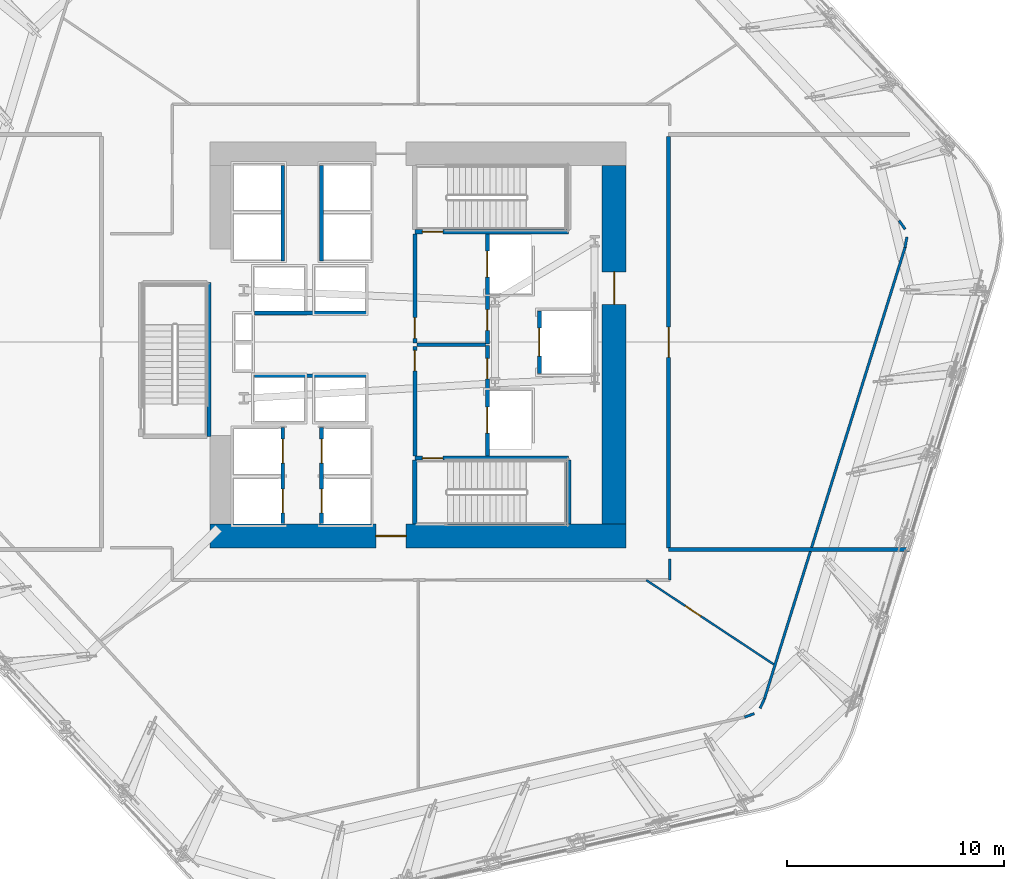
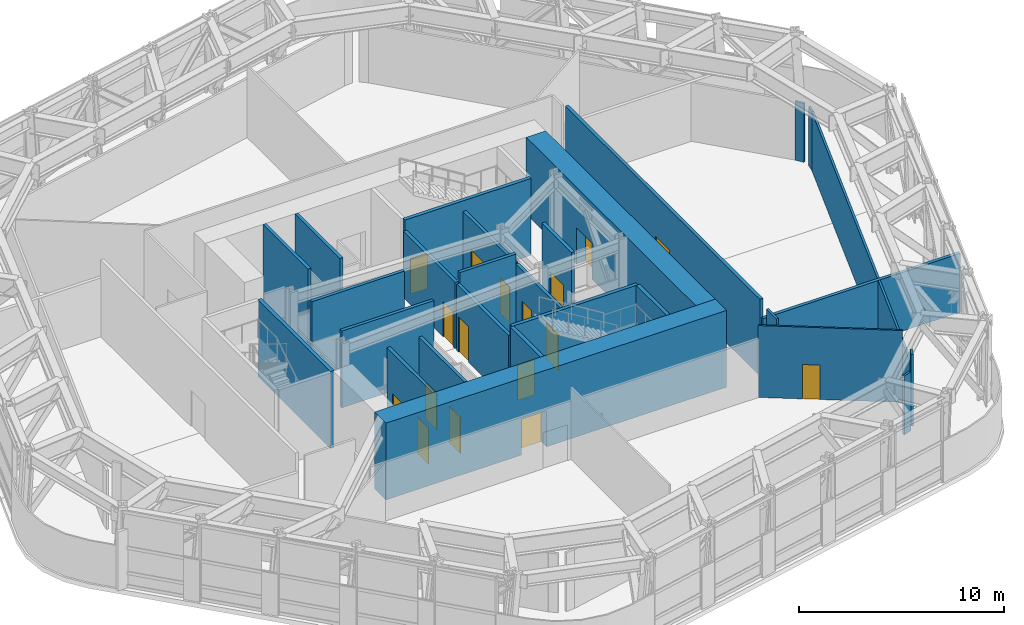
# One storey, part 9 of 16: 28 walls, 17 doors, 17 openings.
"""IFC4 building model written with IfcOpenShell, lengths in metres."""

from ifc_helpers import new_model, si_unit, direction, frame, frame_2d, origin, place, context, subcontext, project, spatial, rectangle, extrude, material, layer, layer_set, type_object, element, fill, save


model = new_model("IFC4")

# Units and contexts
model_context = context("Model", 3, precision=1e-05, world=origin(), true_north=direction((0.0, 1.0)))
body_context = subcontext(model_context, "Body", "Model", "MODEL_VIEW")
ifc_project = project(units=[si_unit("LENGTHUNIT", "METRE"), si_unit("AREAUNIT", "SQUARE_METRE"), si_unit("VOLUMEUNIT", "CUBIC_METRE"), si_unit("PLANEANGLEUNIT", "RADIAN"), si_unit("MASSUNIT", "GRAM", prefix="KILO")], contexts=[model_context])

# Site, building, storey
site_placement = place(None, origin())
site = spatial("IfcSite", under=ifc_project, at=site_placement, CompositionType="ELEMENT")
building_placement = place(site_placement, origin())
building = spatial("IfcBuilding", under=site, at=building_placement, Name="Valkerne Bourse Tower", CompositionType="ELEMENT")
storey_placement = place(building_placement, frame((0.0, 0.0, 77.199951171875)))
storey = spatial("IfcBuildingStorey", under=building, at=storey_placement, Name="L19", CompositionType="ELEMENT", Elevation=77.199951171875)

# Wall, opening, door
ifc_material_1 = material(Name="Concrete C70/85", Category="concrete")
ifc_layer_1 = layer(ifc_material_1, 1.10009765625)
ifc_layer_set_1 = layer_set([ifc_layer_1], Name="Concrete C70/85")
wall_type_1 = type_object("IfcWallType", Name="W-CORE-1100", PredefinedType="SHEAR", material=ifc_layer_set_1)
wall_1_placement = place(storey_placement, frame((37.199951171875, 18.050048828125, 0.0), z_axis=(0.0, 0.0, 1.0), x_axis=(1.0, 0.0, 0.0)))
wall_1 = element("IfcWall", 1, at=wall_1_placement, inside=storey, type_object=wall_type_1, Name="L19 Core Shear Wall SOUTH", PredefinedType="SHEAR", context=body_context, shape_type="SweptSolid", body=[
    extrude(rectangle(XDim=19.199951171875, YDim=1.10009765625, at=frame_2d((9.60009765625, 0.0))), origin(), (0.0, 0.0, 1.0), 4.580078125),
])
opening_1_placement = place(wall_1_placement, frame((7.64990234375, 0.0, 0.0)))
opening_1 = element("IfcOpeningElement", 2, at=opening_1_placement, cuts=wall_1, Name="Opening D-PL-1400", PredefinedType="OPENING", context=body_context, shape_type="SweptSolid", body=[
    extrude(rectangle(XDim=1.39990234375, YDim=2.14990234375, at=frame_2d((0.699951171875, 1.074951171875))), frame((0.0, 0.56005859375, 0.0), z_axis=(0.0, -1.0, 0.0), x_axis=(1.0, 0.0, 0.0)), (0.0, 0.0, 1.0), 1.1201171875),
])
ifc_material_2 = material(Name="Galvanised Painted Steel", Category="steel")
door_type_1 = type_object("IfcDoorType", Name="DR-PLT-1400", OperationType="DOUBLE_DOOR_SINGLE_SWING", PredefinedType="DOOR", material=ifc_material_2)
door_1_placement = place(opening_1_placement, origin())
door_1 = element("IfcDoor", 3, at=door_1_placement, inside=storey, type_object=door_type_1, Name="L19 South Passenger Lift Hall Fire Door", OperationType="DOUBLE_DOOR_SINGLE_SWING", OverallHeight=2.14990234375, OverallWidth=1.39990234375, PredefinedType="DOOR", context=body_context, shape_type="SweptSolid", body=[
    extrude(rectangle(XDim=1.39990234375, YDim=2.14990234375, at=frame_2d((0.699951171875, 1.074951171875))), frame((0.0, 0.02490234375, 0.0), z_axis=(0.0, -1.0, 0.0), x_axis=(1.0, 0.0, 0.0)), (0.0, 0.0, 1.0), 0.050048828125),
])
fill(opening_1, door_1)

wall_2_placement = place(storey_placement, frame((55.85009765625, 18.60009765625, 0.0), z_axis=(0.0, 0.0, 1.0), x_axis=(0.0, 1.0, 0.0)))
wall_2 = element("IfcWall", 4, at=wall_2_placement, inside=storey, type_object=wall_type_1, Name="L19 Core Shear Wall EAST", PredefinedType="SHEAR", context=body_context, shape_type="SweptSolid", body=[
    extrude(rectangle(XDim=16.5498046875, YDim=1.10009765625, at=frame_2d((8.27490234375, 0.0))), origin(), (0.0, 0.0, 1.0), 4.580078125),
])
opening_2_placement = place(wall_2_placement, frame((10.14990234375, 0.0, 0.0)))
opening_2 = element("IfcOpeningElement", 5, at=opening_2_placement, cuts=wall_2, Name="Opening D-CR-1500", PredefinedType="OPENING", context=body_context, shape_type="SweptSolid", body=[
    extrude(rectangle(XDim=1.5, YDim=2.14990234375, at=frame_2d((0.75, 1.074951171875))), frame((0.0, 0.56005859375, 0.0), z_axis=(0.0, -1.0, 0.0), x_axis=(1.0, 0.0, 0.0)), (0.0, 0.0, 1.0), 1.1201171875),
])
door_type_2 = type_object("IfcDoorType", Name="DR-CORR-1500", OperationType="DOUBLE_DOOR_SINGLE_SWING", PredefinedType="DOOR", material=ifc_material_2)
door_2_placement = place(opening_2_placement, origin())
door_2 = element("IfcDoor", 6, at=door_2_placement, inside=storey, type_object=door_type_2, Name="L19 East Core Service Lobby Fire Door", OperationType="DOUBLE_DOOR_SINGLE_SWING", OverallHeight=2.14990234375, OverallWidth=1.5, PredefinedType="DOOR", context=body_context, shape_type="SweptSolid", body=[
    extrude(rectangle(XDim=1.5, YDim=2.14990234375, at=frame_2d((0.75, 1.074951171875))), frame((0.0, 0.02490234375, 0.0), z_axis=(0.0, -1.0, 0.0), x_axis=(1.0, 0.0, 0.0)), (0.0, 0.0, 1.0), 0.050048828125),
])
fill(opening_2, door_2)

# Walls
ifc_material_3 = material(Name="Gypsum Board Steel-Stud Partition", Category="steel")
ifc_layer_2 = layer(ifc_material_3, 0.117919921875)
ifc_layer_set_2 = layer_set([ifc_layer_2], Name="Gypsum Board Steel-Stud Partition")
wall_type_2 = type_object("IfcWallType", Name="W-CORR-140", PredefinedType="PARTITIONING", material=ifc_layer_set_2)
wall_3_placement = place(storey_placement, frame((69.283935546875, 31.37890625, 0.0), z_axis=(0.0, 0.0, 1.0), x_axis=(-0.297310976936, -0.954780698901, 0.0)))
element("IfcWall", 7, at=wall_3_placement, inside=storey, type_object=wall_type_2, Name="L19 L19 Outrigger Truss Gallery Ring Wall", PredefinedType="PARTITIONING", context=body_context, shape_type="SweptSolid", body=[
    extrude(rectangle(XDim=21.83544921875, YDim=0.117919921875, at=frame_2d((10.917724609375, 0.0))), origin(), (0.0, 0.0, 1.0), 3.503173828125),
])
wall_4_placement = place(storey_placement, frame((62.7919921875, 10.53076171875, 0.0), z_axis=(0.0, 0.0, 1.0), x_axis=(-0.421593457987, -0.906784955865, 0.0)))
element("IfcWall", 8, at=wall_4_placement, inside=storey, type_object=wall_type_2, Name="L19 L19 Outrigger Truss Gallery Ring Wall", PredefinedType="PARTITIONING", context=body_context, shape_type="SweptSolid", body=[
    extrude(rectangle(XDim=0.47607421875, YDim=0.117919921875, at=frame_2d((0.238037109375, 0.0))), origin(), (0.0, 0.0, 1.0), 4.280029296875),
])
wall_5_placement = place(storey_placement, frame((62.3203125, 9.849853515625, 0.0), z_axis=(0.0, 0.0, 1.0), x_axis=(-0.939102668551, -0.343636694664, 0.0)))
element("IfcWall", 9, at=wall_5_placement, inside=storey, type_object=wall_type_2, Name="L19 L19 Outrigger Truss Gallery Ring Wall", PredefinedType="PARTITIONING", context=body_context, shape_type="SweptSolid", body=[
    extrude(rectangle(XDim=0.47607421875, YDim=0.117919921875, at=frame_2d((0.238037109375, 0.0))), origin(), (0.0, 0.0, 1.0), 3.503173828125),
])
for number, where, z_axis, x_axis, name in (
    (10, (69.008544921875, 32.611083984375, 0.0), (0.0, 0.0, 1.0), (0.575018523253, -0.818140390102, 0.0), "L19 L19 Outrigger Truss Gallery Ring Wall"),
    (11, (69.3671875, 31.855712890625, 0.0), (0.0, 0.0, 1.0), (-0.17200102348, -0.985096770841, 0.0), "L19 L19 Outrigger Truss Gallery Ring Wall"),
):
    element("IfcWall", number, at=place(storey_placement, frame(where, z_axis=z_axis, x_axis=x_axis)), inside=storey, type_object=wall_type_2, Name=name, PredefinedType="PARTITIONING", context=body_context, shape_type="SweptSolid", body=[
        extrude(rectangle(XDim=0.484130859375, YDim=0.117919921875, at=frame_2d((0.2421875, 0.0))), origin(), (0.0, 0.0, 1.0), 3.503173828125),
    ])
wall_6_placement = place(storey_placement, frame((58.419921875, 16.991455078125, 0.0), z_axis=(0.0, 0.0, 1.0), x_axis=(0.0, -1.0, 0.0)))
element("IfcWall", 12, at=wall_6_placement, inside=storey, type_object=wall_type_2, Name="L19 Corridor Enclosure Wall", PredefinedType="PARTITIONING", context=body_context, shape_type="SweptSolid", body=[
    extrude(rectangle(XDim=0.971435546875, YDim=0.117919921875, at=frame_2d((0.48583984375, 0.0))), origin(), (0.0, 0.0, 1.0), 4.280029296875),
])
ifc_material_4 = material(Name="Gypsum Fire-Rated Shaftwall", Category="gypsum")
ifc_layer_3 = layer(ifc_material_4, 0.179931640625)
ifc_layer_set_3 = layer_set([ifc_layer_3], Name="Gypsum Fire-Rated Shaftwall")
wall_type_3 = type_object("IfcWallType", Name="W-FSAE-180", PredefinedType="PARTITIONING", material=ifc_layer_set_3)
wall_7_placement = place(storey_placement, frame((46.739990234375, 26.8798828125, 0.0), z_axis=(0.0, 0.0, 1.0), x_axis=(1.0, 0.0, 0.0)))
element("IfcWall", 13, at=wall_7_placement, inside=storey, type_object=wall_type_3, Name="L19 FSAE-1/2 Lobby Dividing Fire Wall", PredefinedType="PARTITIONING", context=body_context, shape_type="SweptSolid", body=[
    extrude(rectangle(XDim=3.169921875, YDim=0.179931640625, at=frame_2d((1.5849609375, 0.0))), origin(), (0.0, 0.0, 1.0), 4.580078125),
])

# Wall, opening, door
wall_8_placement = place(storey_placement, frame((46.64990234375, 21.75, 0.0), z_axis=(0.0, 0.0, 1.0), x_axis=(0.0, 1.0, 0.0)))
wall_8 = element("IfcWall", 14, at=wall_8_placement, inside=storey, type_object=wall_type_3, Name="L19 FSAE-1 Lobby West Fire Wall", PredefinedType="PARTITIONING", context=body_context, shape_type="SweptSolid", body=[
    extrude(rectangle(XDim=5.050048828125, YDim=0.179931640625, at=frame_2d((2.52490234375, 0.0))), origin(), (0.0, 0.0, 1.0), 3.9580078125),
])
opening_3_placement = place(wall_8_placement, frame((3.919921875, 0.0, 0.0)))
opening_3 = element("IfcOpeningElement", 15, at=opening_3_placement, cuts=wall_8, Name="Opening D-FS-950", PredefinedType="OPENING", context=body_context, shape_type="SweptSolid", body=[
    extrude(rectangle(XDim=0.949951171875, YDim=2.10009765625, at=frame_2d((0.47509765625, 1.050048828125))), frame((0.0, 0.099853515625, 0.0), z_axis=(0.0, -1.0, 0.0), x_axis=(1.0, 0.0, 0.0)), (0.0, 0.0, 1.0), 0.199951171875),
])
door_type_3 = type_object("IfcDoorType", Name="DR-FSAE-950", OperationType="NOTDEFINED", PredefinedType="DOOR", material=ifc_material_2)
door_3_placement = place(opening_3_placement, origin())
door_3 = element("IfcDoor", 16, at=door_3_placement, inside=storey, type_object=door_type_3, Name="L19 FSAE-1 Hall Link Fire Door", OperationType="SINGLE_SWING_RIGHT", OverallHeight=2.10009765625, OverallWidth=0.949951171875, PredefinedType="DOOR", context=body_context, shape_type="SweptSolid", body=[
    extrude(rectangle(XDim=0.949951171875, YDim=2.10009765625, at=frame_2d((0.47509765625, 1.050048828125))), frame((0.0, 0.02490234375, 0.0), z_axis=(0.0, -1.0, 0.0), x_axis=(1.0, 0.0, 0.0)), (0.0, 0.0, 1.0), 0.050048828125),
])
fill(opening_3, door_3)

wall_9_placement = place(storey_placement, frame((46.64990234375, 26.9599609375, 0.0), z_axis=(0.0, 0.0, 1.0), x_axis=(0.0, 1.0, 0.0)))
wall_9 = element("IfcWall", 17, at=wall_9_placement, inside=storey, type_object=wall_type_3, Name="L19 FSAE-2 Lobby West Fire Wall", PredefinedType="PARTITIONING", context=body_context, shape_type="SweptSolid", body=[
    extrude(rectangle(XDim=5.0400390625, YDim=0.179931640625, at=frame_2d((2.52001953125, 0.0))), origin(), (0.0, 0.0, 1.0), 3.9580078125),
])
opening_4_placement = place(wall_9_placement, frame((0.219970703125, 0.0, 0.0)))
opening_4 = element("IfcOpeningElement", 18, at=opening_4_placement, cuts=wall_9, Name="Opening D-FS-950", PredefinedType="OPENING", context=body_context, shape_type="SweptSolid", body=[
    extrude(rectangle(XDim=0.949951171875, YDim=2.10009765625, at=frame_2d((0.47509765625, 1.050048828125))), frame((0.0, 0.099853515625, 0.0), z_axis=(0.0, -1.0, 0.0), x_axis=(1.0, 0.0, 0.0)), (0.0, 0.0, 1.0), 0.199951171875),
])
door_4_placement = place(opening_4_placement, origin())
door_4 = element("IfcDoor", 19, at=door_4_placement, inside=storey, type_object=door_type_3, Name="L19 FSAE-2 Hall Link Fire Door", OperationType="SINGLE_SWING_RIGHT", OverallHeight=2.10009765625, OverallWidth=0.949951171875, PredefinedType="DOOR", context=body_context, shape_type="SweptSolid", body=[
    extrude(rectangle(XDim=0.949951171875, YDim=2.10009765625, at=frame_2d((0.47509765625, 1.050048828125))), frame((0.0, 0.02490234375, 0.0), z_axis=(0.0, -1.0, 0.0), x_axis=(1.0, 0.0, 0.0)), (0.0, 0.0, 1.0), 0.050048828125),
])
fill(opening_4, door_4)

# Wall, openings, doors
wall_10_placement = place(storey_placement, frame((50.0, 21.75, 0.0), z_axis=(0.0, 0.0, 1.0), x_axis=(0.0, 1.0, 0.0)))
wall_10 = element("IfcWall", 20, at=wall_10_placement, inside=storey, type_object=wall_type_3, Name="L19 FSAE-1 Lobby & Shaft Front Wall", PredefinedType="PARTITIONING", context=body_context, shape_type="SweptSolid", body=[
    extrude(rectangle(XDim=5.090087890625, YDim=0.179931640625, at=frame_2d((2.544921875, 0.0))), origin(), (0.0, 0.0, 1.0), 3.9580078125),
])
opening_5_placement = place(wall_10_placement, frame((1.050048828125, 0.0, 0.0)))
opening_5 = element("IfcOpeningElement", 21, at=opening_5_placement, cuts=wall_10, Name="Opening LD-1200", PredefinedType="OPENING", context=body_context, shape_type="SweptSolid", body=[
    extrude(rectangle(XDim=1.199951171875, YDim=2.14990234375, at=frame_2d((0.60009765625, 1.074951171875))), frame((0.0, 0.099853515625, 0.0), z_axis=(0.0, -1.0, 0.0), x_axis=(1.0, 0.0, 0.0)), (0.0, 0.0, 1.0), 0.199951171875),
])
opening_6_placement = place(wall_10_placement, frame((3.550048828125, 0.0, 0.0)))
opening_6 = element("IfcOpeningElement", 22, at=opening_6_placement, cuts=wall_10, Name="Opening D-FS-950", PredefinedType="OPENING", context=body_context, shape_type="SweptSolid", body=[
    extrude(rectangle(XDim=0.949951171875, YDim=2.10009765625, at=frame_2d((0.47509765625, 1.050048828125))), frame((0.0, 0.099853515625, 0.0), z_axis=(0.0, -1.0, 0.0), x_axis=(1.0, 0.0, 0.0)), (0.0, 0.0, 1.0), 0.199951171875),
])
door_5_placement = place(opening_6_placement, origin())
door_5 = element("IfcDoor", 23, at=door_5_placement, inside=storey, type_object=door_type_3, Name="L19 FSAE-1 Lobby Corridor Fire Door", OperationType="SINGLE_SWING_RIGHT", OverallHeight=2.10009765625, OverallWidth=0.949951171875, PredefinedType="DOOR", context=body_context, shape_type="SweptSolid", body=[
    extrude(rectangle(XDim=0.949951171875, YDim=2.10009765625, at=frame_2d((0.47509765625, 1.050048828125))), frame((0.0, 0.02490234375, 0.0), z_axis=(0.0, -1.0, 0.0), x_axis=(1.0, 0.0, 0.0)), (0.0, 0.0, 1.0), 0.050048828125),
])
fill(opening_6, door_5)
ifc_material_5 = material(Name="Stainless Steel AISI 316", Category="steel")
door_type_4 = type_object("IfcDoorType", Name="DR-LIFT-1200", OperationType="DOUBLE_DOOR_SLIDING", PredefinedType="DOOR", material=ifc_material_5)
door_6_placement = place(opening_5_placement, origin())
door_6 = element("IfcDoor", 24, at=door_6_placement, inside=storey, type_object=door_type_4, Name="L19 FSAE-1 Firefighting Lift Landing Door", OperationType="DOUBLE_DOOR_SLIDING", OverallHeight=2.14990234375, OverallWidth=1.199951171875, PredefinedType="DOOR", context=body_context, shape_type="SweptSolid", body=[
    extrude(rectangle(XDim=1.199951171875, YDim=2.14990234375, at=frame_2d((0.60009765625, 1.074951171875))), frame((0.0, 0.02490234375, 0.0), z_axis=(0.0, -1.0, 0.0), x_axis=(1.0, 0.0, 0.0)), (0.0, 0.0, 1.0), 0.050048828125),
])
fill(opening_5, door_6)

wall_11_placement = place(storey_placement, frame((50.0, 26.919921875, 0.0), z_axis=(0.0, 0.0, 1.0), x_axis=(0.0, 1.0, 0.0)))
wall_11 = element("IfcWall", 25, at=wall_11_placement, inside=storey, type_object=wall_type_3, Name="L19 FSAE-2 Lobby & Shaft Front Wall", PredefinedType="PARTITIONING", context=body_context, shape_type="SweptSolid", body=[
    extrude(rectangle(XDim=5.080078125, YDim=0.179931640625, at=frame_2d((2.5400390625, 0.0))), origin(), (0.0, 0.0, 1.0), 3.9580078125),
])
opening_7_placement = place(wall_11_placement, frame((3.080078125, 0.0, 0.0)))
opening_7 = element("IfcOpeningElement", 26, at=opening_7_placement, cuts=wall_11, Name="Opening LD-1200", PredefinedType="OPENING", context=body_context, shape_type="SweptSolid", body=[
    extrude(rectangle(XDim=1.199951171875, YDim=2.14990234375, at=frame_2d((0.60009765625, 1.074951171875))), frame((0.0, 0.099853515625, 0.0), z_axis=(0.0, -1.0, 0.0), x_axis=(1.0, 0.0, 0.0)), (0.0, 0.0, 1.0), 0.199951171875),
])
opening_8_placement = place(wall_11_placement, frame((0.6298828125, 0.0, 0.0)))
opening_8 = element("IfcOpeningElement", 27, at=opening_8_placement, cuts=wall_11, Name="Opening D-FS-950", PredefinedType="OPENING", context=body_context, shape_type="SweptSolid", body=[
    extrude(rectangle(XDim=0.949951171875, YDim=2.10009765625, at=frame_2d((0.47509765625, 1.050048828125))), frame((0.0, 0.099853515625, 0.0), z_axis=(0.0, -1.0, 0.0), x_axis=(1.0, 0.0, 0.0)), (0.0, 0.0, 1.0), 0.199951171875),
])
door_7_placement = place(opening_8_placement, origin())
door_7 = element("IfcDoor", 28, at=door_7_placement, inside=storey, type_object=door_type_3, Name="L19 FSAE-2 Lobby Corridor Fire Door", OperationType="SINGLE_SWING_RIGHT", OverallHeight=2.10009765625, OverallWidth=0.949951171875, PredefinedType="DOOR", context=body_context, shape_type="SweptSolid", body=[
    extrude(rectangle(XDim=0.949951171875, YDim=2.10009765625, at=frame_2d((0.47509765625, 1.050048828125))), frame((0.0, 0.02490234375, 0.0), z_axis=(0.0, -1.0, 0.0), x_axis=(1.0, 0.0, 0.0)), (0.0, 0.0, 1.0), 0.050048828125),
])
fill(opening_8, door_7)
door_8_placement = place(opening_7_placement, origin())
door_8 = element("IfcDoor", 29, at=door_8_placement, inside=storey, type_object=door_type_4, Name="L19 FSAE-2 Firefighting Lift Landing Door", OperationType="DOUBLE_DOOR_SLIDING", OverallHeight=2.14990234375, OverallWidth=1.199951171875, PredefinedType="DOOR", context=body_context, shape_type="SweptSolid", body=[
    extrude(rectangle(XDim=1.199951171875, YDim=2.14990234375, at=frame_2d((0.60009765625, 1.074951171875))), frame((0.0, 0.02490234375, 0.0), z_axis=(0.0, -1.0, 0.0), x_axis=(1.0, 0.0, 0.0)), (0.0, 0.0, 1.0), 0.050048828125),
])
fill(opening_7, door_8)

# Wall, opening, door
wall_12_placement = place(storey_placement, frame((58.3701171875, 17.5, 0.0), z_axis=(0.0, 0.0, 1.0), x_axis=(0.0, 1.0, 0.0)))
wall_12 = element("IfcWall", 30, at=wall_12_placement, inside=storey, type_object=wall_type_3, Name="L19 L19 East Sky Refuge Fire Wall", PredefinedType="PARTITIONING", context=body_context, shape_type="SweptSolid", body=[
    extrude(rectangle(XDim=19.0, YDim=0.179931640625, at=frame_2d((9.5, 0.0))), origin(), (0.0, 0.0, 1.0), 4.580078125),
])
opening_9_placement = place(wall_12_placement, frame((8.800048828125, 0.0, 0.0)))
opening_9 = element("IfcOpeningElement", 31, at=opening_9_placement, cuts=wall_12, Name="Opening D-PL-1400", PredefinedType="OPENING", context=body_context, shape_type="SweptSolid", body=[
    extrude(rectangle(XDim=1.39990234375, YDim=2.14990234375, at=frame_2d((0.699951171875, 1.074951171875))), frame((0.0, 0.099853515625, 0.0), z_axis=(0.0, -1.0, 0.0), x_axis=(1.0, 0.0, 0.0)), (0.0, 0.0, 1.0), 0.199951171875),
])
door_9_placement = place(opening_9_placement, origin())
door_9 = element("IfcDoor", 32, at=door_9_placement, inside=storey, type_object=door_type_1, Name="L19 L19 East Sky Refuge Door", OperationType="DOUBLE_DOOR_SINGLE_SWING", OverallHeight=2.14990234375, OverallWidth=1.39990234375, PredefinedType="DOOR", context=body_context, shape_type="SweptSolid", body=[
    extrude(rectangle(XDim=1.39990234375, YDim=2.14990234375, at=frame_2d((0.699951171875, 1.074951171875))), frame((0.0, 0.02490234375, 0.0), z_axis=(0.0, -1.0, 0.0), x_axis=(1.0, 0.0, 0.0)), (0.0, 0.0, 1.0), 0.050048828125),
])
fill(opening_9, door_9)

# Wall
wall_13_placement = place(storey_placement, frame((58.3701171875, 17.419921875, 0.0), z_axis=(0.0, 0.0, 1.0), x_axis=(1.0, 0.0, 0.0)))
element("IfcWall", 33, at=wall_13_placement, inside=storey, type_object=wall_type_3, Name="L19 L19 East Sky Refuge South Wall", PredefinedType="PARTITIONING", context=body_context, shape_type="SweptSolid", body=[
    extrude(rectangle(XDim=11.1298828125, YDim=0.179931640625, at=frame_2d((5.56494140625, 0.0))), origin(), (0.0, 0.0, 1.0), 3.503173828125),
])

# Wall, opening, door
ifc_material_6 = material(Name="CMU Blockwork Masonry 200mm", Category="masonry")
ifc_layer_4 = layer(ifc_material_6, 0.179931640625)
ifc_layer_set_4 = layer_set([ifc_layer_4], Name="CMU Blockwork Masonry 200mm")
wall_type_4 = type_object("IfcWallType", Name="W-LFT-180", PredefinedType="SOLIDWALL", material=ifc_layer_set_4)
wall_14_placement = place(storey_placement, frame((52.39990234375, 25.550048828125, 0.0), z_axis=(0.0, 0.0, 1.0), x_axis=(0.0, 1.0, 0.0)))
wall_14 = element("IfcWall", 34, at=wall_14_placement, inside=storey, type_object=wall_type_4, Name="L19 Service Lift SV-1 Front Wall", PredefinedType="SOLIDWALL", context=body_context, shape_type="SweptSolid", body=[
    extrude(rectangle(XDim=2.89990234375, YDim=0.179931640625, at=frame_2d((1.449951171875, 0.0))), origin(), (0.0, 0.0, 1.0), 4.580078125),
])
opening_10_placement = place(wall_14_placement, frame((0.800048828125, 0.0, 0.0)))
opening_10 = element("IfcOpeningElement", 35, at=opening_10_placement, cuts=wall_14, Name="Opening LD-1300", PredefinedType="OPENING", context=body_context, shape_type="SweptSolid", body=[
    extrude(rectangle(XDim=1.300048828125, YDim=2.14990234375, at=frame_2d((0.64990234375, 1.074951171875))), frame((0.0, 0.099853515625, 0.0), z_axis=(0.0, -1.0, 0.0), x_axis=(1.0, 0.0, 0.0)), (0.0, 0.0, 1.0), 0.199951171875),
])
door_type_5 = type_object("IfcDoorType", Name="DR-LIFT-1300", OperationType="DOUBLE_DOOR_SLIDING", PredefinedType="DOOR", material=ifc_material_5)
door_10_placement = place(opening_10_placement, origin())
door_10 = element("IfcDoor", 36, at=door_10_placement, inside=storey, type_object=door_type_5, Name="L19 Service Lift SV-1 Landing Door", OperationType="DOUBLE_DOOR_SLIDING", OverallHeight=2.14990234375, OverallWidth=1.300048828125, PredefinedType="DOOR", context=body_context, shape_type="SweptSolid", body=[
    extrude(rectangle(XDim=1.300048828125, YDim=2.14990234375, at=frame_2d((0.64990234375, 1.074951171875))), frame((0.0, 0.02490234375, 0.0), z_axis=(0.0, -1.0, 0.0), x_axis=(1.0, 0.0, 0.0)), (0.0, 0.0, 1.0), 0.050048828125),
])
fill(opening_10, door_10)

# Wall, openings, doors
wall_15_placement = place(storey_placement, frame((40.550048828125, 18.6201171875, 0.0), z_axis=(0.0, 0.0, 1.0), x_axis=(0.0, 1.0, 0.0)))
wall_15 = element("IfcWall", 37, at=wall_15_placement, inside=storey, type_object=wall_type_4, Name="L19 Low-Zone West Cars Front Wall", PredefinedType="SOLIDWALL", context=body_context, shape_type="SweptSolid", body=[
    extrude(rectangle(XDim=4.429931640625, YDim=0.179931640625, at=frame_2d((2.21484375, 0.0))), origin(), (0.0, 0.0, 1.0), 4.580078125),
])
opening_11_placement = place(wall_15_placement, frame((0.5, 0.0, 0.0)))
opening_11 = element("IfcOpeningElement", 38, at=opening_11_placement, cuts=wall_15, Name="Opening LD-1100", PredefinedType="OPENING", context=body_context, shape_type="SweptSolid", body=[
    extrude(rectangle(XDim=1.10009765625, YDim=2.14990234375, at=frame_2d((0.550048828125, 1.074951171875))), frame((0.0, 0.099853515625, 0.0), z_axis=(0.0, -1.0, 0.0), x_axis=(1.0, 0.0, 0.0)), (0.0, 0.0, 1.0), 0.199951171875),
])
opening_12_placement = place(wall_15_placement, frame((2.800048828125, 0.0, 0.0)))
opening_12 = element("IfcOpeningElement", 39, at=opening_12_placement, cuts=wall_15, Name="Opening LD-1100", PredefinedType="OPENING", context=body_context, shape_type="SweptSolid", body=[
    extrude(rectangle(XDim=1.10009765625, YDim=2.14990234375, at=frame_2d((0.550048828125, 1.074951171875))), frame((0.0, 0.099853515625, 0.0), z_axis=(0.0, -1.0, 0.0), x_axis=(1.0, 0.0, 0.0)), (0.0, 0.0, 1.0), 0.199951171875),
])
door_type_6 = type_object("IfcDoorType", Name="DR-LIFT-1100", OperationType="DOUBLE_DOOR_SLIDING", PredefinedType="DOOR", material=ifc_material_5)
door_11_placement = place(opening_11_placement, origin())
door_11 = element("IfcDoor", 40, at=door_11_placement, inside=storey, type_object=door_type_6, Name="L19 Passenger Lift PL-L1 Sliding Landing Door", OperationType="DOUBLE_DOOR_SLIDING", OverallHeight=2.14990234375, OverallWidth=1.10009765625, PredefinedType="DOOR", context=body_context, shape_type="SweptSolid", body=[
    extrude(rectangle(XDim=1.10009765625, YDim=2.14990234375, at=frame_2d((0.550048828125, 1.074951171875))), frame((0.0, 0.02490234375, 0.0), z_axis=(0.0, -1.0, 0.0), x_axis=(1.0, 0.0, 0.0)), (0.0, 0.0, 1.0), 0.050048828125),
])
fill(opening_11, door_11)
door_12_placement = place(opening_12_placement, origin())
door_12 = element("IfcDoor", 41, at=door_12_placement, inside=storey, type_object=door_type_6, Name="L19 Passenger Lift PL-L2 Sliding Landing Door", OperationType="DOUBLE_DOOR_SLIDING", OverallHeight=2.14990234375, OverallWidth=1.10009765625, PredefinedType="DOOR", context=body_context, shape_type="SweptSolid", body=[
    extrude(rectangle(XDim=1.10009765625, YDim=2.14990234375, at=frame_2d((0.550048828125, 1.074951171875))), frame((0.0, 0.02490234375, 0.0), z_axis=(0.0, -1.0, 0.0), x_axis=(1.0, 0.0, 0.0)), (0.0, 0.0, 1.0), 0.050048828125),
])
fill(opening_12, door_12)

wall_16_placement = place(storey_placement, frame((42.35009765625, 18.6201171875, 0.0), z_axis=(0.0, 0.0, 1.0), x_axis=(0.0, 1.0, 0.0)))
wall_16 = element("IfcWall", 42, at=wall_16_placement, inside=storey, type_object=wall_type_4, Name="L19 Low-Zone East Cars Front Wall", PredefinedType="SOLIDWALL", context=body_context, shape_type="SweptSolid", body=[
    extrude(rectangle(XDim=4.429931640625, YDim=0.179931640625, at=frame_2d((2.21484375, 0.0))), origin(), (0.0, 0.0, 1.0), 4.580078125),
])
opening_13_placement = place(wall_16_placement, frame((0.5, 0.0, 0.0)))
opening_13 = element("IfcOpeningElement", 43, at=opening_13_placement, cuts=wall_16, Name="Opening LD-1100", PredefinedType="OPENING", context=body_context, shape_type="SweptSolid", body=[
    extrude(rectangle(XDim=1.10009765625, YDim=2.14990234375, at=frame_2d((0.550048828125, 1.074951171875))), frame((0.0, 0.099853515625, 0.0), z_axis=(0.0, -1.0, 0.0), x_axis=(1.0, 0.0, 0.0)), (0.0, 0.0, 1.0), 0.199951171875),
])
opening_14_placement = place(wall_16_placement, frame((2.800048828125, 0.0, 0.0)))
opening_14 = element("IfcOpeningElement", 44, at=opening_14_placement, cuts=wall_16, Name="Opening LD-1100", PredefinedType="OPENING", context=body_context, shape_type="SweptSolid", body=[
    extrude(rectangle(XDim=1.10009765625, YDim=2.14990234375, at=frame_2d((0.550048828125, 1.074951171875))), frame((0.0, 0.099853515625, 0.0), z_axis=(0.0, -1.0, 0.0), x_axis=(1.0, 0.0, 0.0)), (0.0, 0.0, 1.0), 0.199951171875),
])
door_13_placement = place(opening_13_placement, origin())
door_13 = element("IfcDoor", 45, at=door_13_placement, inside=storey, type_object=door_type_6, Name="L19 Passenger Lift PL-L3 Sliding Landing Door", OperationType="DOUBLE_DOOR_SLIDING", OverallHeight=2.14990234375, OverallWidth=1.10009765625, PredefinedType="DOOR", context=body_context, shape_type="SweptSolid", body=[
    extrude(rectangle(XDim=1.10009765625, YDim=2.14990234375, at=frame_2d((0.550048828125, 1.074951171875))), frame((0.0, 0.02490234375, 0.0), z_axis=(0.0, -1.0, 0.0), x_axis=(1.0, 0.0, 0.0)), (0.0, 0.0, 1.0), 0.050048828125),
])
fill(opening_13, door_13)
door_14_placement = place(opening_14_placement, origin())
door_14 = element("IfcDoor", 46, at=door_14_placement, inside=storey, type_object=door_type_6, Name="L19 Passenger Lift PL-L4 Sliding Landing Door", OperationType="DOUBLE_DOOR_SLIDING", OverallHeight=2.14990234375, OverallWidth=1.10009765625, PredefinedType="DOOR", context=body_context, shape_type="SweptSolid", body=[
    extrude(rectangle(XDim=1.10009765625, YDim=2.14990234375, at=frame_2d((0.550048828125, 1.074951171875))), frame((0.0, 0.02490234375, 0.0), z_axis=(0.0, -1.0, 0.0), x_axis=(1.0, 0.0, 0.0)), (0.0, 0.0, 1.0), 0.050048828125),
])
fill(opening_14, door_14)

# Walls
for number, where, z_axis, x_axis, name in (
    (47, (40.550048828125, 30.75, 0.0), (0.0, 0.0, 1.0), (0.0, 1.0, 0.0), "L19 Mid-Zone West Cars Front Wall"),
    (48, (42.35009765625, 30.75, 0.0), (0.0, 0.0, 1.0), (0.0, 1.0, 0.0), "L19 Mid-Zone East Cars Front Wall"),
):
    element("IfcWall", number, at=place(storey_placement, frame(where, z_axis=z_axis, x_axis=x_axis)), inside=storey, type_object=wall_type_4, Name=name, PredefinedType="SOLIDWALL", context=body_context, shape_type="SweptSolid", body=[
        extrude(rectangle(XDim=4.39990234375, YDim=0.179931640625, at=frame_2d((2.199951171875, 0.0))), origin(), (0.0, 0.0, 1.0), 4.580078125),
    ])
for number, where, z_axis, x_axis, name in (
    (49, (39.25, 25.449951171875, 0.0), (0.0, 0.0, 1.0), (1.0, 0.0, 0.0), "L19 High-Zone South Cars Front Wall"),
    (50, (39.25, 28.35009765625, 0.0), (0.0, 0.0, 1.0), (1.0, 0.0, 0.0), "L19 High-Zone North Cars Front Wall"),
):
    element("IfcWall", number, at=place(storey_placement, frame(where, z_axis=z_axis, x_axis=x_axis)), inside=storey, type_object=wall_type_4, Name=name, PredefinedType="SOLIDWALL", context=body_context, shape_type="SweptSolid", body=[
        extrude(rectangle(XDim=5.199951171875, YDim=0.179931640625, at=frame_2d((2.60009765625, 0.0))), origin(), (0.0, 0.0, 1.0), 4.580078125),
    ])

# Wall, opening, door
ifc_layer_5 = layer(ifc_material_3, 0.092041015625)
ifc_layer_set_5 = layer_set([ifc_layer_5], Name="Gypsum Board Steel-Stud Partition")
wall_type_5 = type_object("IfcWallType", Name="W-PART-115", PredefinedType="PARTITIONING", material=ifc_layer_set_5)
wall_17_placement = place(storey_placement, frame((57.333740234375, 16.014892578125, 0.0), z_axis=(0.0, 0.0, 1.0), x_axis=(0.834265068621, -0.551363578121, 0.0)))
wall_17 = element("IfcWall", 51, at=wall_17_placement, inside=storey, type_object=wall_type_5, Name="L19 Suite Partition P05", PredefinedType="PARTITIONING", context=body_context, shape_type="SweptSolid", body=[
    extrude(rectangle(XDim=7.050537109375, YDim=0.092041015625, at=frame_2d((3.525390625, 0.0))), origin(), (0.0, 0.0, 1.0), 4.280029296875),
])
opening_15_placement = place(wall_17_placement, frame((2.166748046875, 0.0, 0.0)))
opening_15 = element("IfcOpeningElement", 52, at=opening_15_placement, cuts=wall_17, Name="Opening D-WC-900", PredefinedType="OPENING", context=body_context, shape_type="SweptSolid", body=[
    extrude(rectangle(XDim=0.860107421875, YDim=2.050048828125, at=frame_2d((0.43017578125, 1.02490234375))), frame((0.0, 0.055908203125, 0.0), z_axis=(0.0, -1.0, 0.0), x_axis=(1.0, 0.0, 0.0)), (0.0, 0.0, 1.0), 0.112060546875),
])
ifc_material_7 = material(Name="Architectural White Oak Timber", Category="wood")
door_type_7 = type_object("IfcDoorType", Name="DR-WC-900", OperationType="NOTDEFINED", PredefinedType="DOOR", material=ifc_material_7)
door_15_placement = place(opening_15_placement, origin())
door_15 = element("IfcDoor", 53, at=door_15_placement, inside=storey, type_object=door_type_7, Name="L19 L19 High-Voltage Transformer Electrical Switchroom Plant 3 Suite Door", OperationType="SINGLE_SWING_LEFT", OverallHeight=2.050048828125, OverallWidth=0.860107421875, PredefinedType="DOOR", context=body_context, shape_type="SweptSolid", body=[
    extrude(rectangle(XDim=0.860107421875, YDim=2.050048828125, at=frame_2d((0.43017578125, 1.02490234375))), frame((0.0, 0.02490234375, 0.0), z_axis=(0.0, -1.0, 0.0), x_axis=(1.0, 0.0, 0.0)), (0.0, 0.0, 1.0), 0.050048828125),
])
fill(opening_15, door_15)

ifc_material_8 = material(Name="Concrete C40/50", Category="concrete")
ifc_layer_6 = layer(ifc_material_8, 0.199951171875)
ifc_layer_set_6 = layer_set([ifc_layer_6], Name="Concrete C40/50")
wall_type_6 = type_object("IfcWallType", Name="W-SHF-200", PredefinedType="SHEAR", material=ifc_layer_set_6)
wall_18_placement = place(storey_placement, frame((46.64990234375, 21.64990234375, 0.0), z_axis=(0.0, 0.0, 1.0), x_axis=(1.0, 0.0, 0.0)))
wall_18 = element("IfcWall", 54, at=wall_18_placement, inside=storey, type_object=wall_type_6, Name="L19 Exit Stair ST-1 Structural Shaft Wall North", PredefinedType="SHEAR", context=body_context, shape_type="SweptSolid", body=[
    extrude(rectangle(XDim=7.10009765625, YDim=0.199951171875, at=frame_2d((3.550048828125, 0.0))), origin(), (0.0, 0.0, 1.0), 4.580078125),
])
opening_16_placement = place(wall_18_placement, frame((0.35009765625, 0.0, 0.0)))
opening_16 = element("IfcOpeningElement", 55, at=opening_16_placement, cuts=wall_18, Name="Opening D-ST-950", PredefinedType="OPENING", context=body_context, shape_type="SweptSolid", body=[
    extrude(rectangle(XDim=0.949951171875, YDim=2.10009765625, at=frame_2d((0.47509765625, 1.050048828125))), frame((0.0, 0.10986328125, 0.0), z_axis=(0.0, -1.0, 0.0), x_axis=(1.0, 0.0, 0.0)), (0.0, 0.0, 1.0), 0.219970703125),
])
door_type_8 = type_object("IfcDoorType", Name="DR-STAIR-950", OperationType="NOTDEFINED", PredefinedType="DOOR", material=ifc_material_2)
door_16_placement = place(opening_16_placement, origin())
door_16 = element("IfcDoor", 56, at=door_16_placement, inside=storey, type_object=door_type_8, Name="L19 Exit Stair ST-1 Door", OperationType="SINGLE_SWING_RIGHT", OverallHeight=2.10009765625, OverallWidth=0.949951171875, PredefinedType="DOOR", context=body_context, shape_type="SweptSolid", body=[
    extrude(rectangle(XDim=0.949951171875, YDim=2.10009765625, at=frame_2d((0.47509765625, 1.050048828125))), frame((0.0, 0.02490234375, 0.0), z_axis=(0.0, -1.0, 0.0), x_axis=(1.0, 0.0, 0.0)), (0.0, 0.0, 1.0), 0.050048828125),
])
fill(opening_16, door_16)

# Walls
for number, where, z_axis, x_axis, name in (
    (57, (46.64990234375, 18.60009765625, 0.0), (0.0, 0.0, 1.0), (0.0, 1.0, 0.0), "L19 Exit Stair ST-1 Structural Shaft Wall West"),
    (58, (53.75, 18.60009765625, 0.0), (0.0, 0.0, 1.0), (0.0, 1.0, 0.0), "L19 Exit Stair ST-1 Structural Shaft Wall East"),
):
    element("IfcWall", number, at=place(storey_placement, frame(where, z_axis=z_axis, x_axis=x_axis)), inside=storey, type_object=wall_type_6, Name=name, PredefinedType="SHEAR", context=body_context, shape_type="SweptSolid", body=[
        extrude(rectangle(XDim=2.949951171875, YDim=0.199951171875, at=frame_2d((1.47509765625, 0.0))), origin(), (0.0, 0.0, 1.0), 4.580078125),
    ])

# Wall, opening, door
wall_19_placement = place(storey_placement, frame((46.64990234375, 32.10009765625, 0.0), z_axis=(0.0, 0.0, 1.0), x_axis=(1.0, 0.0, 0.0)))
wall_19 = element("IfcWall", 59, at=wall_19_placement, inside=storey, type_object=wall_type_6, Name="L19 Exit Stair ST-2 Structural Shaft Wall South", PredefinedType="SHEAR", context=body_context, shape_type="SweptSolid", body=[
    extrude(rectangle(XDim=7.10009765625, YDim=0.199951171875, at=frame_2d((3.550048828125, 0.0))), origin(), (0.0, 0.0, 1.0), 4.580078125),
])
opening_17_placement = place(wall_19_placement, frame((0.35009765625, 0.0, 0.0)))
opening_17 = element("IfcOpeningElement", 60, at=opening_17_placement, cuts=wall_19, Name="Opening D-ST-950", PredefinedType="OPENING", context=body_context, shape_type="SweptSolid", body=[
    extrude(rectangle(XDim=0.949951171875, YDim=2.10009765625, at=frame_2d((0.47509765625, 1.050048828125))), frame((0.0, 0.10986328125, 0.0), z_axis=(0.0, -1.0, 0.0), x_axis=(1.0, 0.0, 0.0)), (0.0, 0.0, 1.0), 0.219970703125),
])
door_17_placement = place(opening_17_placement, origin())
door_17 = element("IfcDoor", 61, at=door_17_placement, inside=storey, type_object=door_type_8, Name="L19 Exit Stair ST-2 Door", OperationType="SINGLE_SWING_RIGHT", OverallHeight=2.10009765625, OverallWidth=0.949951171875, PredefinedType="DOOR", context=body_context, shape_type="SweptSolid", body=[
    extrude(rectangle(XDim=0.949951171875, YDim=2.10009765625, at=frame_2d((0.47509765625, 1.050048828125))), frame((0.0, 0.02490234375, 0.0), z_axis=(0.0, -1.0, 0.0), x_axis=(1.0, 0.0, 0.0)), (0.0, 0.0, 1.0), 0.050048828125),
])
fill(opening_17, door_17)

# Wall
wall_20_placement = place(storey_placement, frame((37.14990234375, 22.64990234375, 0.0), z_axis=(0.0, 0.0, 1.0), x_axis=(0.0, 1.0, 0.0)))
element("IfcWall", 62, at=wall_20_placement, inside=storey, type_object=wall_type_6, Name="L19 Exit Stair ST-3 Structural Shaft Wall East", PredefinedType="SHEAR", context=body_context, shape_type="SweptSolid", body=[
    extrude(rectangle(XDim=7.10009765625, YDim=0.199951171875, at=frame_2d((3.550048828125, 0.0))), origin(), (0.0, 0.0, 1.0), 4.580078125),
])

save(model, "model.ifc")
